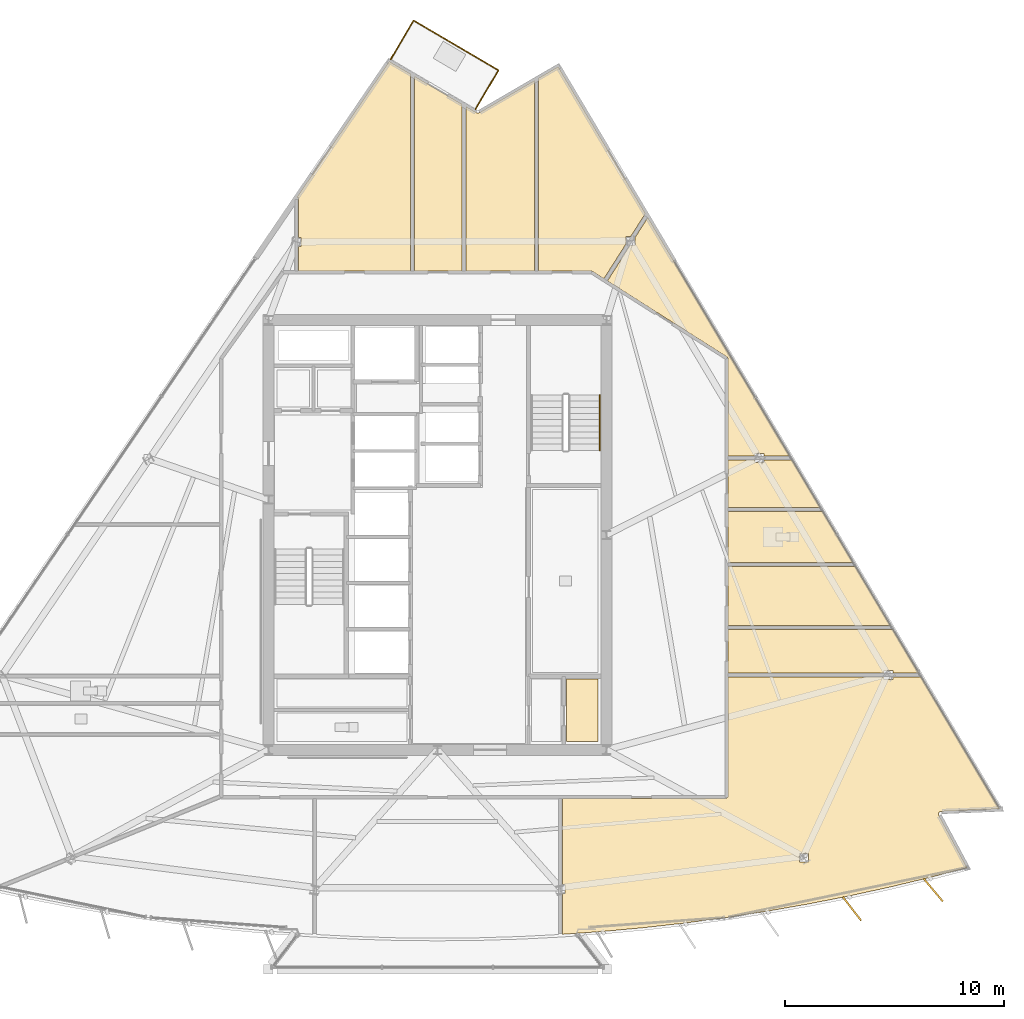
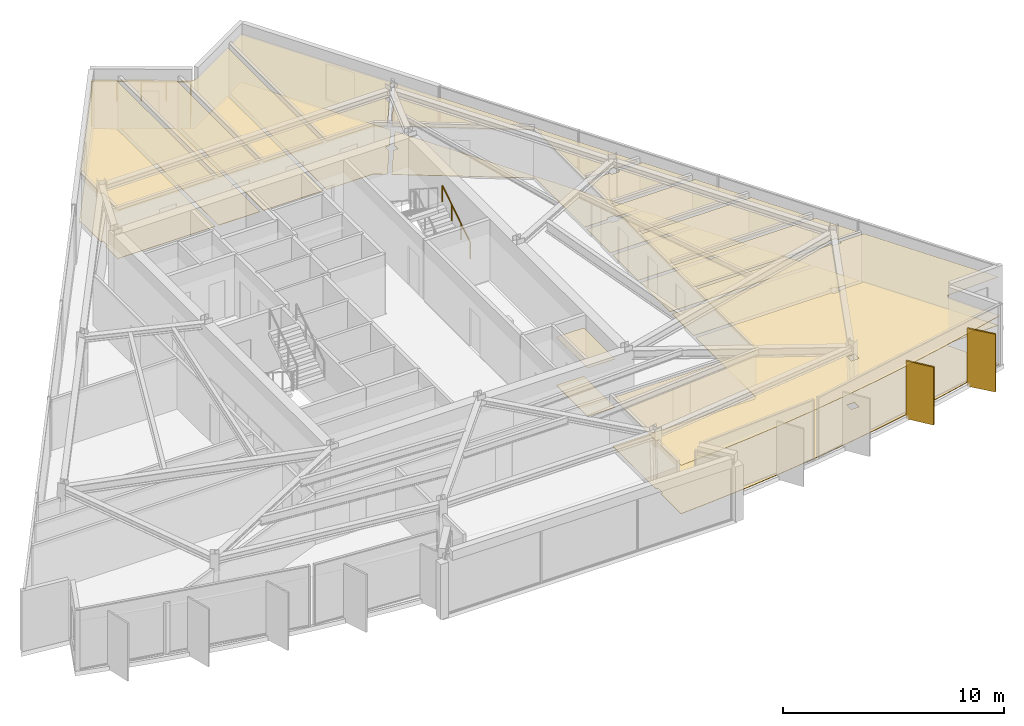
# One storey, part 13 of 14: 22 coverings, 4 railings, 2 shading devices.
"""IFC4 building model written with IfcOpenShell, lengths in metres."""

from ifc_helpers import new_model, si_unit, direction, frame, origin, origin_2d, place, context, subcontext, project, spatial, polyline, rectangle, circle, outline, extrude, material, layer, layer_set, type_object, element, save


model = new_model("IFC4")

# Units and contexts
model_context = context("Model", 3, precision=1e-05, world=origin(), true_north=direction((0.0, 1.0)))
body_context = subcontext(model_context, "Body", "Model", "MODEL_VIEW")
ifc_project = project(units=[si_unit("LENGTHUNIT", "METRE"), si_unit("AREAUNIT", "SQUARE_METRE"), si_unit("VOLUMEUNIT", "CUBIC_METRE"), si_unit("PLANEANGLEUNIT", "RADIAN"), si_unit("MASSUNIT", "GRAM", prefix="KILO")], contexts=[model_context])

# Site, building, storey
site_placement = place(None, origin())
site = spatial("IfcSite", under=ifc_project, at=site_placement, CompositionType="ELEMENT")
building_placement = place(site_placement, origin())
building = spatial("IfcBuilding", under=site, at=building_placement, Name="Savorim Split Tower", CompositionType="ELEMENT")
storey_placement = place(building_placement, frame((0.0, 0.0, 209.10009765625)))
storey = spatial("IfcBuildingStorey", under=building, at=storey_placement, Name="L55", CompositionType="ELEMENT", Elevation=209.10009765625)

# Coverings
ifc_material_1 = material(Name="Mineral Fibre Acoustic Ceiling")
ifc_layer_1 = layer(ifc_material_1, 0.02490234375)
ifc_layer_set_1 = layer_set([ifc_layer_1], Name="COV-CEIL-25")
covering_type_1 = type_object("IfcCoveringType", Name="COV-CEIL-25", PredefinedType="CEILING", material=ifc_layer_set_1)
covering_1_placement = place(storey_placement, frame((0.0, 0.0, 2.669921875)))
element("IfcCovering", 1, at=covering_1_placement, inside=storey, type_object=covering_type_1, Name="L55 Recycling Chute Room Acoustic Ceiling", PredefinedType="CEILING", context=body_context, shape_type="SweptSolid", body=[
    extrude(outline(polyline([(5.8798828125, -6.179931640625), (5.8798828125, -9.02001953125), (7.320068359375, -9.02001953125), (7.320068359375, -6.179931640625), (5.8798828125, -6.179931640625)])), origin(), (0.0, 0.0, 1.0), 0.02490234375),
])
covering_2_placement = place(storey_placement, frame((0.0, 0.0, 2.669921875)))
element("IfcCovering", 2, at=covering_2_placement, inside=storey, type_object=covering_type_1, Name="L55 Co-Working Commons Acoustic Ceiling", PredefinedType="CEILING", context=body_context, shape_type="SweptSolid", body=[
    extrude(outline(polyline([(22.926513671875, -12.2060546875), (22.93798828125, -12.203857421875), (22.949462890625, -12.202880859375), (25.611083984375, -12.089599609375), (22.022216796875, -6.0537109375), (22.022216796875, -6.086669921875), (20.76953125, -6.086669921875), (20.76953125, -6.1953125), (20.3515625, -6.1953125), (20.3515625, -6.086669921875), (13.239990234375, -6.086669921875), (13.239990234375, -11.47998046875), (13.2392578125, -11.49365234375), (13.2373046875, -11.50732421875), (13.23388671875, -11.5205078125), (13.229248046875, -11.53369140625), (13.223388671875, -11.5458984375), (13.21630859375, -11.557861328125), (13.208251953125, -11.56884765625), (13.198974609375, -11.5791015625), (13.188720703125, -11.588134765625), (13.177734375, -11.596435546875), (13.166015625, -11.603515625), (13.153564453125, -11.609375), (13.140625, -11.614013671875), (13.127197265625, -11.6171875), (13.11376953125, -11.619384765625), (13.10009765625, -11.6201171875), (5.69482421875, -11.6201171875), (5.69482421875, -15.539794921875), (5.808837890625, -15.539794921875), (5.808837890625, -15.947021484375), (5.69482421875, -15.947021484375), (5.69482421875, -17.76171875), (5.69482421875, -17.806396484375), (7.55078125, -17.673095703125), (9.4326171875, -17.49951171875), (11.310302734375, -17.287109375), (13.18359375, -17.03662109375), (15.051025390625, -16.74755859375), (16.912353515625, -16.420654296875), (18.7666015625, -16.055419921875), (20.61279296875, -15.652587890625), (22.450439453125, -15.2119140625), (24.132568359375, -14.772216796875), (22.848876953125, -12.37939453125), (22.84375, -12.368896484375), (22.83984375, -12.358154296875), (22.8369140625, -12.346923828125), (22.835205078125, -12.335693359375), (22.83447265625, -12.32421875), (22.8349609375, -12.3125), (22.83642578125, -12.301025390625), (22.839111328125, -12.289794921875), (22.8427734375, -12.27880859375), (22.847412109375, -12.268310546875), (22.853271484375, -12.25830078125), (22.85986328125, -12.248779296875), (22.867431640625, -12.240234375), (22.875732421875, -12.232177734375), (22.884765625, -12.22509765625), (22.89453125, -12.21875), (22.90478515625, -12.21337890625), (22.91552734375, -12.209228515625), (22.926513671875, -12.2060546875)]), holes=[polyline([(16.9169921875, -14.520751953125), (16.9169921875, -14.11376953125), (16.4990234375, -14.11376953125), (16.4990234375, -14.520751953125), (16.9169921875, -14.520751953125)])]), origin(), (0.0, 0.0, 1.0), 0.02490234375),
])
covering_3_placement = place(storey_placement, frame((0.0, 0.0, 2.669921875)))
element("IfcCovering", 3, at=covering_3_placement, inside=storey, type_object=covering_type_1, Name="L55 Quiet Study Room Acoustic Ceiling", PredefinedType="CEILING", context=body_context, shape_type="SweptSolid", body=[
    extrude(outline(polyline([(20.76953125, -5.7880859375), (20.76953125, -5.896728515625), (21.927001953125, -5.896728515625), (21.9287109375, -5.896728515625), (20.7548828125, -3.922607421875), (13.239990234375, -3.922607421875), (13.239990234375, -5.896728515625), (20.3515625, -5.896728515625), (20.3515625, -5.7880859375), (20.76953125, -5.7880859375)])), origin(), (0.0, 0.0, 1.0), 0.02490234375),
])
covering_4_placement = place(storey_placement, frame((0.0, 0.0, 2.669921875)))
element("IfcCovering", 4, at=covering_4_placement, inside=storey, type_object=covering_type_1, Name="L55 Co-Working Commons Acoustic Ceiling", PredefinedType="CEILING", context=body_context, shape_type="SweptSolid", body=[
    extrude(outline(polyline([(20.641845703125, -3.732421875), (19.0478515625, -1.0517578125), (13.239990234375, -1.0517578125), (13.239990234375, -3.732421875), (20.641845703125, -3.732421875)])), origin(), (0.0, 0.0, 1.0), 0.02490234375),
])
covering_5_placement = place(storey_placement, frame((0.0, 0.0, 2.669921875)))
element("IfcCovering", 5, at=covering_5_placement, inside=storey, type_object=covering_type_1, Name="L55 Shared Bathroom Acoustic Ceiling", PredefinedType="CEILING", context=body_context, shape_type="SweptSolid", body=[
    extrude(outline(polyline([(18.934814453125, -0.86181640625), (17.55078125, 1.4658203125), (13.239990234375, 1.4658203125), (13.239990234375, -0.86181640625), (18.934814453125, -0.86181640625)])), origin(), (0.0, 0.0, 1.0), 0.02490234375),
])
covering_6_placement = place(storey_placement, frame((0.0, 0.0, 2.669921875)))
element("IfcCovering", 6, at=covering_6_placement, inside=storey, type_object=covering_type_1, Name="L55 Co-Living Bedroom Acoustic Ceiling", PredefinedType="CEILING", context=body_context, shape_type="SweptSolid", body=[
    extrude(outline(polyline([(14.46826171875, 3.69921875), (14.46826171875, 3.8076171875), (13.239990234375, 3.8076171875), (13.239990234375, 1.65576171875), (17.43798828125, 1.65576171875), (16.138671875, 3.8408203125), (16.138671875, 3.8076171875), (14.88623046875, 3.8076171875), (14.88623046875, 3.69921875), (14.46826171875, 3.69921875)])), origin(), (0.0, 0.0, 1.0), 0.02490234375),
])
covering_7_placement = place(storey_placement, frame((0.0, 0.0, 2.669921875)))
element("IfcCovering", 7, at=covering_7_placement, inside=storey, type_object=covering_type_1, Name="L55 Co-Working Commons Acoustic Ceiling", PredefinedType="CEILING", context=body_context, shape_type="SweptSolid", body=[
    extrude(outline(polyline([(14.88623046875, 4.106201171875), (14.88623046875, 3.997802734375), (16.043701171875, 3.997802734375), (16.04541015625, 3.997802734375), (9.58447265625, 14.86328125), (9.002685546875, 13.94873046875), (9.002685546875, 13.59375), (8.77685546875, 13.59375), (7.745361328125, 11.971923828125), (7.7451171875, 11.971923828125), (13.175048828125, 8.51806640625), (13.1865234375, 8.510009765625), (13.197265625, 8.500732421875), (13.206787109375, 8.490478515625), (13.21533203125, 8.479248046875), (13.22265625, 8.46728515625), (13.22900390625, 8.45458984375), (13.233642578125, 8.44140625), (13.2373046875, 8.427978515625), (13.2392578125, 8.4140625), (13.239990234375, 8.39990234375), (13.239990234375, 3.997802734375), (14.46826171875, 3.997802734375), (14.46826171875, 4.106201171875), (14.88623046875, 4.106201171875)])), origin(), (0.0, 0.0, 1.0), 0.02490234375),
])
covering_8_placement = place(storey_placement, frame((0.0, 0.0, 2.669921875)))
element("IfcCovering", 8, at=covering_8_placement, inside=storey, type_object=covering_type_1, Name="L55 Co-Working Commons Acoustic Ceiling", PredefinedType="CEILING", context=body_context, shape_type="SweptSolid", body=[
    extrude(outline(polyline([(9.470703125, 15.03857421875), (9.48583984375, 15.029052734375), (5.499267578125, 21.7333984375), (4.607421875, 21.213623046875), (4.607421875, 12.419921875), (7.0, 12.419921875), (7.01318359375, 12.41943359375), (7.0263671875, 12.41748046875), (7.0390625, 12.414306640625), (7.051513671875, 12.41015625), (7.063720703125, 12.40478515625), (7.0751953125, 12.398193359375), (7.5849609375, 12.073974609375), (8.584716796875, 13.6455078125), (8.584716796875, 14.000732421875), (8.810546875, 14.000732421875), (9.419921875, 14.95849609375), (9.470703125, 15.03857421875)])), origin(), (0.0, 0.0, 1.0), 0.02490234375),
])
covering_9_placement = place(storey_placement, frame((0.0, 0.0, 2.669921875)))
element("IfcCovering", 9, at=covering_9_placement, inside=storey, type_object=covering_type_1, Name="L55 Co-Working Commons Acoustic Ceiling", PredefinedType="CEILING", context=body_context, shape_type="SweptSolid", body=[
    extrude(outline(polyline([(1.800537109375, 19.626708984375), (1.789794921875, 19.631103515625), (1.779541015625, 19.636474609375), (1.29638671875, 19.92041015625), (1.29638671875, 12.419921875), (4.417236328125, 12.419921875), (4.417236328125, 21.10302734375), (1.90087890625, 19.63623046875), (1.890625, 19.631103515625), (1.8798828125, 19.626708984375), (1.868896484375, 19.623291015625), (1.857421875, 19.62109375), (1.845947265625, 19.6201171875), (1.83447265625, 19.6201171875), (1.822998046875, 19.621337890625), (1.8115234375, 19.62353515625), (1.800537109375, 19.626708984375)])), origin(), (0.0, 0.0, 1.0), 0.02490234375),
])
covering_10_placement = place(storey_placement, frame((0.0, 0.0, 2.669921875)))
element("IfcCovering", 10, at=covering_10_placement, inside=storey, type_object=covering_type_1, Name="L55 Co-Working Commons Acoustic Ceiling", PredefinedType="CEILING", context=body_context, shape_type="SweptSolid", body=[
    extrude(outline(polyline([(-1.051025390625, 12.419921875), (1.1064453125, 12.419921875), (1.1064453125, 20.031982421875), (-1.051025390625, 21.30029296875), (-1.051025390625, 12.419921875)])), origin(), (0.0, 0.0, 1.0), 0.02490234375),
])
covering_11_placement = place(storey_placement, frame((0.0, 0.0, 2.669921875)))
element("IfcCovering", 11, at=covering_11_placement, inside=storey, type_object=covering_type_1, Name="L55 Co-Working Commons Acoustic Ceiling", PredefinedType="CEILING", context=body_context, shape_type="SweptSolid", body=[
    extrude(outline(polyline([(-6.328369140625, 12.419921875), (-1.240966796875, 12.419921875), (-1.240966796875, 21.411865234375), (-2.197021484375, 21.9736328125), (-6.419189453125, 15.766845703125), (-6.328369140625, 15.766845703125), (-6.328369140625, 13.951904296875), (-6.21435546875, 13.951904296875), (-6.21435546875, 13.544921875), (-6.328369140625, 13.544921875), (-6.328369140625, 12.419921875)])), origin(), (0.0, 0.0, 1.0), 0.02490234375),
])
ifc_material_2 = material(Name="Porcelain Stoneware Flooring", Category="masonry")
ifc_layer_2 = layer(ifc_material_2, 0.02001953125)
ifc_layer_set_2 = layer_set([ifc_layer_2], Name="COV-FLOR-20")
covering_type_2 = type_object("IfcCoveringType", Name="COV-FLOR-20", PredefinedType="FLOORING", material=ifc_layer_set_2)
covering_12_placement = place(storey_placement, origin())
element("IfcCovering", 12, at=covering_12_placement, inside=storey, type_object=covering_type_2, Name="L55 Recycling Chute Room Porcelain Flooring", PredefinedType="FLOORING", context=body_context, shape_type="SweptSolid", body=[
    extrude(outline(polyline([(5.8798828125, -6.179931640625), (5.8798828125, -9.02001953125), (7.320068359375, -9.02001953125), (7.320068359375, -6.179931640625), (5.8798828125, -6.179931640625)])), origin(), (0.0, 0.0, 1.0), 0.02001953125),
])
covering_13_placement = place(storey_placement, origin())
element("IfcCovering", 13, at=covering_13_placement, inside=storey, type_object=covering_type_2, Name="L55 Co-Working Commons Porcelain Flooring", PredefinedType="FLOORING", context=body_context, shape_type="SweptSolid", body=[
    extrude(outline(polyline([(22.926513671875, -12.2060546875), (22.93798828125, -12.203857421875), (22.949462890625, -12.202880859375), (25.611083984375, -12.089599609375), (22.022216796875, -6.0537109375), (22.022216796875, -6.086669921875), (20.76953125, -6.086669921875), (20.76953125, -6.1953125), (20.3515625, -6.1953125), (20.3515625, -6.086669921875), (13.239990234375, -6.086669921875), (13.239990234375, -11.47998046875), (13.2392578125, -11.49365234375), (13.2373046875, -11.50732421875), (13.23388671875, -11.5205078125), (13.229248046875, -11.53369140625), (13.223388671875, -11.5458984375), (13.21630859375, -11.557861328125), (13.208251953125, -11.56884765625), (13.198974609375, -11.5791015625), (13.188720703125, -11.588134765625), (13.177734375, -11.596435546875), (13.166015625, -11.603515625), (13.153564453125, -11.609375), (13.140625, -11.614013671875), (13.127197265625, -11.6171875), (13.11376953125, -11.619384765625), (13.10009765625, -11.6201171875), (5.69482421875, -11.6201171875), (5.69482421875, -15.539794921875), (5.808837890625, -15.539794921875), (5.808837890625, -15.947021484375), (5.69482421875, -15.947021484375), (5.69482421875, -17.76171875), (5.69482421875, -17.806396484375), (7.55078125, -17.673095703125), (9.4326171875, -17.49951171875), (11.310302734375, -17.287109375), (13.18359375, -17.03662109375), (15.051025390625, -16.74755859375), (16.912353515625, -16.420654296875), (18.7666015625, -16.055419921875), (20.61279296875, -15.652587890625), (22.450439453125, -15.2119140625), (24.132568359375, -14.772216796875), (22.848876953125, -12.37939453125), (22.84375, -12.368896484375), (22.83984375, -12.358154296875), (22.8369140625, -12.346923828125), (22.835205078125, -12.335693359375), (22.83447265625, -12.32421875), (22.8349609375, -12.3125), (22.83642578125, -12.301025390625), (22.839111328125, -12.289794921875), (22.8427734375, -12.27880859375), (22.847412109375, -12.268310546875), (22.853271484375, -12.25830078125), (22.85986328125, -12.248779296875), (22.867431640625, -12.240234375), (22.875732421875, -12.232177734375), (22.884765625, -12.22509765625), (22.89453125, -12.21875), (22.90478515625, -12.21337890625), (22.91552734375, -12.209228515625), (22.926513671875, -12.2060546875)]), holes=[polyline([(16.9169921875, -14.520751953125), (16.9169921875, -14.11376953125), (16.4990234375, -14.11376953125), (16.4990234375, -14.520751953125), (16.9169921875, -14.520751953125)])]), origin(), (0.0, 0.0, 1.0), 0.02001953125),
])
covering_14_placement = place(storey_placement, origin())
element("IfcCovering", 14, at=covering_14_placement, inside=storey, type_object=covering_type_2, Name="L55 Quiet Study Room Porcelain Flooring", PredefinedType="FLOORING", context=body_context, shape_type="SweptSolid", body=[
    extrude(outline(polyline([(20.76953125, -5.7880859375), (20.76953125, -5.896728515625), (21.927001953125, -5.896728515625), (21.9287109375, -5.896728515625), (20.7548828125, -3.922607421875), (13.239990234375, -3.922607421875), (13.239990234375, -5.896728515625), (20.3515625, -5.896728515625), (20.3515625, -5.7880859375), (20.76953125, -5.7880859375)])), origin(), (0.0, 0.0, 1.0), 0.02001953125),
])
covering_15_placement = place(storey_placement, origin())
element("IfcCovering", 15, at=covering_15_placement, inside=storey, type_object=covering_type_2, Name="L55 Co-Working Commons Porcelain Flooring", PredefinedType="FLOORING", context=body_context, shape_type="SweptSolid", body=[
    extrude(outline(polyline([(20.641845703125, -3.732421875), (19.0478515625, -1.0517578125), (13.239990234375, -1.0517578125), (13.239990234375, -3.732421875), (20.641845703125, -3.732421875)])), origin(), (0.0, 0.0, 1.0), 0.02001953125),
])
covering_16_placement = place(storey_placement, origin())
element("IfcCovering", 16, at=covering_16_placement, inside=storey, type_object=covering_type_2, Name="L55 Shared Bathroom Porcelain Flooring", PredefinedType="FLOORING", context=body_context, shape_type="SweptSolid", body=[
    extrude(outline(polyline([(18.934814453125, -0.86181640625), (17.55078125, 1.4658203125), (13.239990234375, 1.4658203125), (13.239990234375, -0.86181640625), (18.934814453125, -0.86181640625)])), origin(), (0.0, 0.0, 1.0), 0.02001953125),
])
covering_17_placement = place(storey_placement, origin())
element("IfcCovering", 17, at=covering_17_placement, inside=storey, type_object=covering_type_2, Name="L55 Co-Living Bedroom Porcelain Flooring", PredefinedType="FLOORING", context=body_context, shape_type="SweptSolid", body=[
    extrude(outline(polyline([(14.46826171875, 3.69921875), (14.46826171875, 3.8076171875), (13.239990234375, 3.8076171875), (13.239990234375, 1.65576171875), (17.43798828125, 1.65576171875), (16.138671875, 3.8408203125), (16.138671875, 3.8076171875), (14.88623046875, 3.8076171875), (14.88623046875, 3.69921875), (14.46826171875, 3.69921875)])), origin(), (0.0, 0.0, 1.0), 0.02001953125),
])
covering_18_placement = place(storey_placement, origin())
element("IfcCovering", 18, at=covering_18_placement, inside=storey, type_object=covering_type_2, Name="L55 Co-Working Commons Porcelain Flooring", PredefinedType="FLOORING", context=body_context, shape_type="SweptSolid", body=[
    extrude(outline(polyline([(14.88623046875, 4.106201171875), (14.88623046875, 3.997802734375), (16.043701171875, 3.997802734375), (16.04541015625, 3.997802734375), (9.58447265625, 14.86328125), (9.002685546875, 13.94873046875), (9.002685546875, 13.59375), (8.77685546875, 13.59375), (7.745361328125, 11.971923828125), (7.7451171875, 11.971923828125), (13.175048828125, 8.51806640625), (13.1865234375, 8.510009765625), (13.197265625, 8.500732421875), (13.206787109375, 8.490478515625), (13.21533203125, 8.479248046875), (13.22265625, 8.46728515625), (13.22900390625, 8.45458984375), (13.233642578125, 8.44140625), (13.2373046875, 8.427978515625), (13.2392578125, 8.4140625), (13.239990234375, 8.39990234375), (13.239990234375, 3.997802734375), (14.46826171875, 3.997802734375), (14.46826171875, 4.106201171875), (14.88623046875, 4.106201171875)])), origin(), (0.0, 0.0, 1.0), 0.02001953125),
])
covering_19_placement = place(storey_placement, origin())
element("IfcCovering", 19, at=covering_19_placement, inside=storey, type_object=covering_type_2, Name="L55 Co-Working Commons Porcelain Flooring", PredefinedType="FLOORING", context=body_context, shape_type="SweptSolid", body=[
    extrude(outline(polyline([(9.470703125, 15.03857421875), (9.48583984375, 15.029052734375), (5.499267578125, 21.7333984375), (4.607421875, 21.213623046875), (4.607421875, 12.419921875), (7.0, 12.419921875), (7.01318359375, 12.41943359375), (7.0263671875, 12.41748046875), (7.0390625, 12.414306640625), (7.051513671875, 12.41015625), (7.063720703125, 12.40478515625), (7.0751953125, 12.398193359375), (7.5849609375, 12.073974609375), (8.584716796875, 13.6455078125), (8.584716796875, 14.000732421875), (8.810546875, 14.000732421875), (9.419921875, 14.95849609375), (9.470703125, 15.03857421875)])), origin(), (0.0, 0.0, 1.0), 0.02001953125),
])
covering_20_placement = place(storey_placement, origin())
element("IfcCovering", 20, at=covering_20_placement, inside=storey, type_object=covering_type_2, Name="L55 Co-Working Commons Porcelain Flooring", PredefinedType="FLOORING", context=body_context, shape_type="SweptSolid", body=[
    extrude(outline(polyline([(1.800537109375, 19.626708984375), (1.789794921875, 19.631103515625), (1.779541015625, 19.636474609375), (1.29638671875, 19.92041015625), (1.29638671875, 12.419921875), (4.417236328125, 12.419921875), (4.417236328125, 21.10302734375), (1.90087890625, 19.63623046875), (1.890625, 19.631103515625), (1.8798828125, 19.626708984375), (1.868896484375, 19.623291015625), (1.857421875, 19.62109375), (1.845947265625, 19.6201171875), (1.83447265625, 19.6201171875), (1.822998046875, 19.621337890625), (1.8115234375, 19.62353515625), (1.800537109375, 19.626708984375)])), origin(), (0.0, 0.0, 1.0), 0.02001953125),
])
covering_21_placement = place(storey_placement, origin())
element("IfcCovering", 21, at=covering_21_placement, inside=storey, type_object=covering_type_2, Name="L55 Co-Working Commons Porcelain Flooring", PredefinedType="FLOORING", context=body_context, shape_type="SweptSolid", body=[
    extrude(outline(polyline([(-1.051025390625, 12.419921875), (1.1064453125, 12.419921875), (1.1064453125, 20.031982421875), (-1.051025390625, 21.30029296875), (-1.051025390625, 12.419921875)])), origin(), (0.0, 0.0, 1.0), 0.02001953125),
])
covering_22_placement = place(storey_placement, origin())
element("IfcCovering", 22, at=covering_22_placement, inside=storey, type_object=covering_type_2, Name="L55 Co-Working Commons Porcelain Flooring", PredefinedType="FLOORING", context=body_context, shape_type="SweptSolid", body=[
    extrude(outline(polyline([(-6.328369140625, 12.419921875), (-1.240966796875, 12.419921875), (-1.240966796875, 21.411865234375), (-2.197021484375, 21.9736328125), (-6.419189453125, 15.766845703125), (-6.328369140625, 15.766845703125), (-6.328369140625, 13.951904296875), (-6.21435546875, 13.951904296875), (-6.21435546875, 13.544921875), (-6.328369140625, 13.544921875), (-6.328369140625, 12.419921875)])), origin(), (0.0, 0.0, 1.0), 0.02001953125),
])

# Railings
ifc_material_3 = material(Name="Galvanised Painted Steel Balustrade", Category="steel")
railing_type_1 = type_object("IfcRailingType", Name="RLG-BAL-1100", PredefinedType="BALUSTRADE", material=ifc_material_3)
railing_1_placement = place(storey_placement, frame((-2.12939453125, 22.0732421875, 0.0)))
element("IfcRailing", 23, at=railing_1_placement, inside=storey, type_object=railing_type_1, Name="L55 Tree Balcony Guardrail N-1", PredefinedType="BALUSTRADE", context=body_context, shape_type="SweptSolid", body=[
    extrude(circle(Radius=0.02392578125, at=origin_2d()), frame((0.0, 0.0, 1.076171875), z_axis=(0.50664533146, 0.862154573211, 0.0), x_axis=(-0.862154573211, 0.50664533146, 0.0)), (0.0, 0.0, 1.0), 2.0498046875),
    extrude(circle(Radius=0.02099609375, at=origin_2d()), origin(), (0.0, 0.0, 1.0), 1.052001953125),
    extrude(circle(Radius=0.02099609375, at=origin_2d()), frame((0.519287109375, 0.8837890625, 0.0)), (0.0, 0.0, 1.0), 1.052001953125),
    extrude(circle(Radius=0.02099609375, at=origin_2d()), frame((1.03857421875, 1.767333984375, 0.0)), (0.0, 0.0, 1.0), 1.052001953125),
])
railing_2_placement = place(storey_placement, frame((-1.0908203125, 23.840576171875, 0.0)))
element("IfcRailing", 24, at=railing_2_placement, inside=storey, type_object=railing_type_1, Name="L55 Tree Balcony Guardrail N-2", PredefinedType="BALUSTRADE", context=body_context, shape_type="SweptSolid", body=[
    extrude(circle(Radius=0.02392578125, at=origin_2d()), frame((0.0, 0.0, 1.076171875), z_axis=(0.86212167761, -0.506701305499, 0.0), x_axis=(0.506701305499, 0.86212167761, 0.0)), (0.0, 0.0, 1.0), 4.48486328125),
    extrude(circle(Radius=0.02099609375, at=origin_2d()), origin(), (0.0, 0.0, 1.0), 1.052001953125),
    extrude(circle(Radius=0.02099609375, at=origin_2d()), frame((0.966552734375, -0.568115234375, 0.0)), (0.0, 0.0, 1.0), 1.052001953125),
    extrude(circle(Radius=0.02099609375, at=origin_2d()), frame((1.93310546875, -1.13623046875, 0.0)), (0.0, 0.0, 1.0), 1.052001953125),
    extrude(circle(Radius=0.02099609375, at=origin_2d()), frame((2.89990234375, -1.704345703125, 0.0)), (0.0, 0.0, 1.0), 1.052001953125),
    extrude(circle(Radius=0.02099609375, at=origin_2d()), frame((3.866455078125, -2.2724609375, 0.0)), (0.0, 0.0, 1.0), 1.052001953125),
])
railing_3_placement = place(storey_placement, frame((2.775634765625, 21.568115234375, 0.0)))
element("IfcRailing", 25, at=railing_3_placement, inside=storey, type_object=railing_type_1, Name="L55 Tree Balcony Guardrail N-3", PredefinedType="BALUSTRADE", context=body_context, shape_type="SweptSolid", body=[
    extrude(circle(Radius=0.02392578125, at=origin_2d()), frame((0.0, 0.0, 1.076171875), z_axis=(-0.506733850669, -0.862102548764, 0.0), x_axis=(0.862102548764, -0.506733850669, 0.0)), (0.0, 0.0, 1.0), 2.050048828125),
    extrude(circle(Radius=0.02099609375, at=origin_2d()), origin(), (0.0, 0.0, 1.0), 1.052001953125),
    extrude(circle(Radius=0.02099609375, at=origin_2d()), frame((-0.51953125, -0.8837890625, 0.0)), (0.0, 0.0, 1.0), 1.052001953125),
    extrude(circle(Radius=0.02099609375, at=origin_2d()), frame((-1.038818359375, -1.767333984375, 0.0)), (0.0, 0.0, 1.0), 1.052001953125),
])
railing_type_2 = type_object("IfcRailingType", Name="RLG-HR-900", PredefinedType="HANDRAIL", material=ifc_material_3)
railing_4_placement = place(storey_placement, frame((7.39990234375, 4.25, 0.179931640625)))
element("IfcRailing", 26, at=railing_4_placement, inside=storey, type_object=railing_type_2, Name="L55 ST-2 stair handrail 1", PredefinedType="HANDRAIL", context=body_context, shape_type="SweptSolid", body=[
    extrude(circle(Radius=0.02392578125, at=origin_2d()), frame((0.0, 0.0, 0.8759765625), z_axis=(0.0, 0.841199657755, 0.540724639528), x_axis=(-1.0, 0.0, 0.0)), (0.0, 0.0, 1.0), 2.995849609375),
    extrude(circle(Radius=0.02099609375, at=origin_2d()), origin(), (0.0, 0.0, 1.0), 0.851806640625),
    extrude(circle(Radius=0.02099609375, at=origin_2d()), frame((0.0, 0.840087890625, 0.5400390625)), (0.0, 0.0, 1.0), 0.851806640625),
    extrude(circle(Radius=0.02099609375, at=origin_2d()), frame((0.0, 1.679931640625, 1.079833984375)), (0.0, 0.0, 1.0), 0.851806640625),
    extrude(circle(Radius=0.02099609375, at=origin_2d()), frame((0.0, 2.52001953125, 1.619873046875)), (0.0, 0.0, 1.0), 0.851806640625),
])

# Shading devices
ifc_material_4 = material(Name="Terracotta Ceramic-Coated Aluminium Fin", Category="masonry")
shading_device_type = type_object("IfcShadingDeviceType", Name="SHD-FIN-1360", PredefinedType="USERDEFINED", material=ifc_material_4)
for number, where, z_axis, x_axis, name in (
    (27, (18.8876953125, -16.63916015625, -0.2001953125), (0.0, 0.0, 1.0), (0.611868076908, -0.790959832394, 0.0), "L55 Sawtooth Shading Fin 12"),
    (28, (22.595458984375, -15.7900390625, -0.2001953125), (0.0, 0.0, 1.0), (0.643719022682, -0.765261928909, 0.0), "L55 Sawtooth Shading Fin 13"),
):
    element("IfcShadingDevice", number, at=place(storey_placement, frame(where, z_axis=z_axis, x_axis=x_axis)), inside=storey, type_object=shading_device_type, Name=name, ObjectType="FIN", PredefinedType="USERDEFINED", context=body_context, shape_type="SweptSolid", body=[
        extrude(rectangle(XDim=1.360107421875, YDim=0.080078125, at=origin_2d()), origin(), (0.0, 0.0, 1.0), 3.199951171875),
    ])

save(model, "model.ifc")
